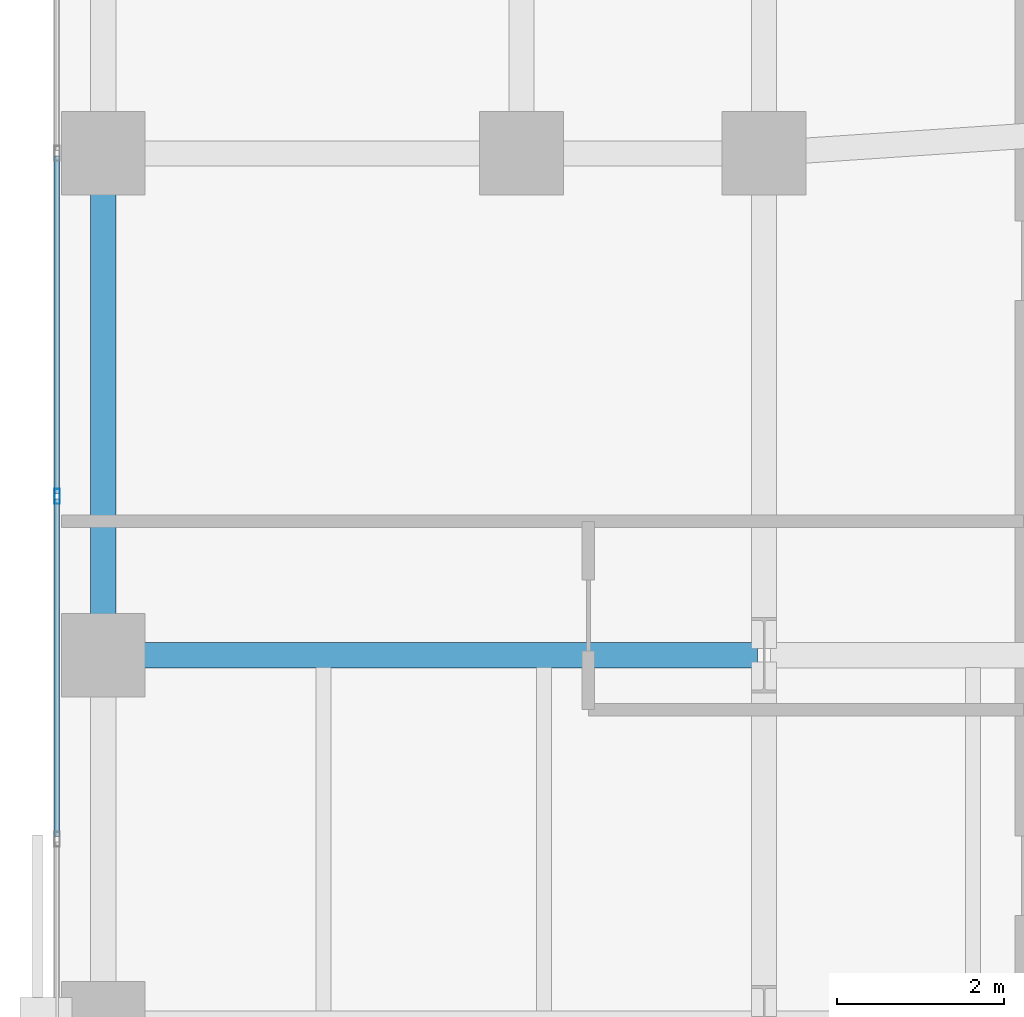
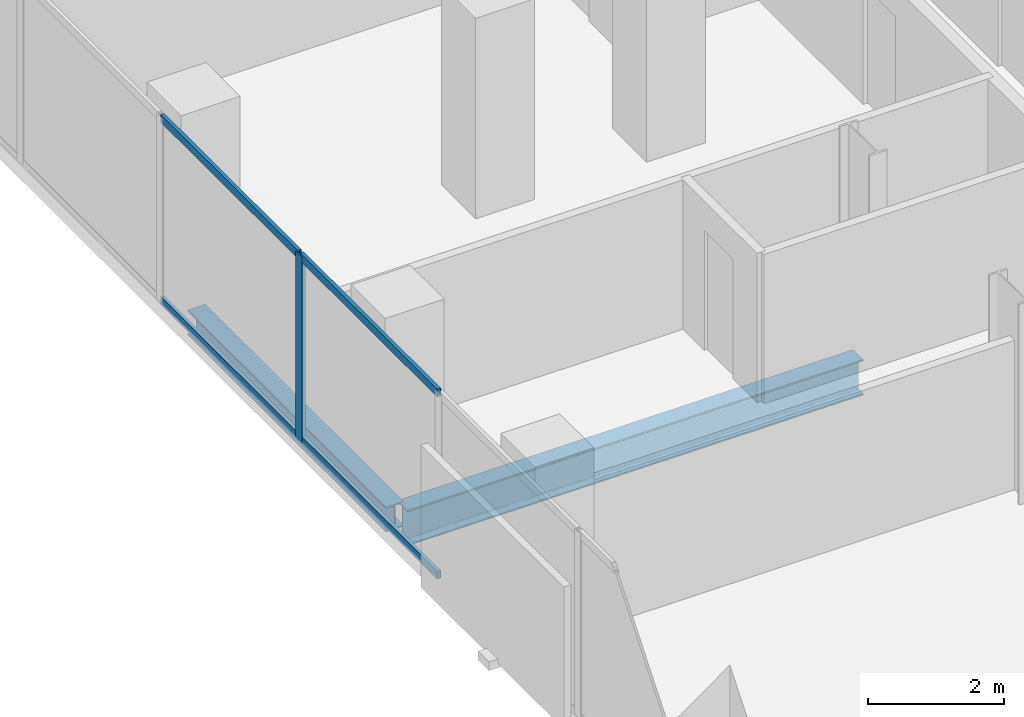
# One storey, part 8 of 32: 5 members, 2 beams, 1 element without a shape of its own.
"""IFC4 building model written with IfcOpenShell, lengths in metres."""

from ifc_helpers import new_model, si_unit, direction, frame, origin, origin_2d, place, context, subcontext, project, spatial, hollow_rectangle, i_section, extrude, material, layer, layer_set, material_profile, profile_set, type_object, element, aggregate, save


model = new_model("IFC4")

# Units and contexts
model_context = context("Model", 3, precision=1e-05, world=origin(), true_north=direction((0.0, 1.0)))
body_context = subcontext(model_context, "Body", "Model", "MODEL_VIEW")
ifc_project = project(units=[si_unit("LENGTHUNIT", "METRE"), si_unit("AREAUNIT", "SQUARE_METRE"), si_unit("VOLUMEUNIT", "CUBIC_METRE"), si_unit("PLANEANGLEUNIT", "RADIAN"), si_unit("MASSUNIT", "GRAM", prefix="KILO")], contexts=[model_context])

# Site, building, storey
site_placement = place(None, origin())
site = spatial("IfcSite", under=ifc_project, at=site_placement, CompositionType="ELEMENT")
building_placement = place(site_placement, origin())
building = spatial("IfcBuilding", under=site, at=building_placement, Name="Catumbela Crestline Tower", CompositionType="ELEMENT")
storey_placement = place(building_placement, frame((0.0, 0.0, 29.4)))
storey = spatial("IfcBuildingStorey", under=building, at=storey_placement, Name="L06", CompositionType="ELEMENT", Elevation=29.4)

# Beam
ifc_material_1 = material(Name="Structural steel S355J2", Category="steel")
ifc_material_profile_1 = material_profile(ifc_material_1, i_section(OverallWidth=0.3, OverallDepth=0.64, WebThickness=0.0135, FlangeThickness=0.026, FilletRadius=0.027, at=origin_2d()), Name="HEA 650")
ifc_profile_set_1 = profile_set([ifc_material_profile_1], Name="Structural steel S355J2")
beam_type_1 = type_object("IfcBeamType", Name="BG-HEA650", PredefinedType="BEAM", material=ifc_profile_set_1)
beam_1_placement = place(storey_placement, frame((0.68, 18.0, -0.58), z_axis=(1.0, 0.0, 0.0), x_axis=(0.0, 1.0, 0.0)))
element("IfcBeam", 1, at=beam_1_placement, inside=storey, type_object=beam_type_1, Name="L06 Beam BM-L06-WEW54", PredefinedType="BEAM", context=body_context, shape_type="SweptSolid", body=[
    extrude(i_section(OverallWidth=0.3, OverallDepth=0.64, WebThickness=0.0135, FlangeThickness=0.026, FilletRadius=0.027, at=origin_2d()), origin(), (0.0, 0.0, 1.0), 7.74),
])

# Curtain wall, member
ifc_material_2 = material(Name="Aluminium alloy AW-6060-T66", Category="aluminium")
ifc_layer = layer(ifc_material_2, 0.18, Name="Aluminium alloy AW-6060-T66")
ifc_layer_set = layer_set([ifc_layer], Name="Aluminium alloy AW-6060-T66")
curtain_wall_type = type_object("IfcCurtainWallType", Name="CWU-Z1", PredefinedType="USERDEFINED", material=ifc_layer_set)
curtain_wall_placement = place(storey_placement, origin())
curtain_wall = element("IfcCurtainWall", 2, at=curtain_wall_placement, inside=storey, type_object=curtain_wall_type, Name="L06 Unitised Curtain Wall CW-L06-E9S1", ObjectType="UNITISED", PredefinedType="USERDEFINED")
ifc_material_profile_2 = material_profile(ifc_material_2, hollow_rectangle(XDim=0.065, YDim=0.18, WallThickness=0.004, at=origin_2d()), Name="ALU 180x65x4")
ifc_profile_set_2 = profile_set([ifc_material_profile_2], Name="Aluminium alloy AW-6060-T66")
member_type_1 = type_object("IfcMemberType", Name="MUL-180X65", PredefinedType="MULLION", material=ifc_profile_set_2)
member_1_placement = place(storey_placement, frame((0.05, 19.9, 0.0), z_axis=(0.0, 0.0, 1.0), x_axis=(1.0, 0.0, 0.0)))
member_1 = element("IfcMember", 3, at=member_1_placement, type_object=member_type_1, Name="CWU-Z1 mullion 7", PredefinedType="MULLION", context=body_context, shape_type="SweptSolid", body=[
    extrude(hollow_rectangle(XDim=0.065, YDim=0.18, WallThickness=0.004, at=origin_2d()), origin(), (0.0, 0.0, 1.0), 3.33),
])

# Beam
ifc_material_profile_3 = material_profile(ifc_material_1, i_section(OverallWidth=0.3, OverallDepth=0.45, WebThickness=0.014, FlangeThickness=0.026, FilletRadius=0.027, at=origin_2d()), Name="HEB 450")
ifc_profile_set_3 = profile_set([ifc_material_profile_3], Name="Structural steel S355J2")
beam_type_2 = type_object("IfcBeamType", Name="BS-HEB450", PredefinedType="SPANDREL", material=ifc_profile_set_3)
beam_2_placement = place(storey_placement, frame((0.6, 18.08, -0.485), z_axis=(0.0, 1.0, 0.0), x_axis=(-1.0, 0.0, 0.0)))
element("IfcBeam", 4, at=beam_2_placement, inside=storey, type_object=beam_type_2, Name="L06 Spandrel SP-L06-WNS60", PredefinedType="SPANDREL", context=body_context, shape_type="SweptSolid", body=[
    extrude(i_section(OverallWidth=0.3, OverallDepth=0.45, WebThickness=0.014, FlangeThickness=0.026, FilletRadius=0.027, at=origin_2d()), origin(), (0.0, 0.0, 1.0), 5.84),
])

# Member
ifc_material_profile_4 = material_profile(ifc_material_2, hollow_rectangle(XDim=0.06, YDim=0.14, WallThickness=0.004, at=origin_2d()), Name="ALU 140x60x4")
ifc_profile_set_4 = profile_set([ifc_material_profile_4], Name="Aluminium alloy AW-6060-T66")
member_type_2 = type_object("IfcMemberType", Name="TRN-140X60", PredefinedType="USERDEFINED", material=ifc_profile_set_4)
member_2_placement = place(storey_placement, frame((0.05, 23.9675, 0.03), z_axis=(0.0, -1.0, 0.0), x_axis=(1.0, 0.0, 0.0)))
member_2 = element("IfcMember", 5, at=member_2_placement, type_object=member_type_2, Name="CWU-Z1 transom 6.1", ObjectType="TRANSOM", PredefinedType="USERDEFINED", context=body_context, shape_type="SweptSolid", body=[
    extrude(hollow_rectangle(XDim=0.06, YDim=0.14, WallThickness=0.004, at=origin_2d()), origin(), (0.0, 0.0, 1.0), 4.035),
])

member_3_placement = place(storey_placement, frame((0.05, 23.9675, 3.3), z_axis=(0.0, -1.0, 0.0), x_axis=(1.0, 0.0, 0.0)))
member_3 = element("IfcMember", 6, at=member_3_placement, type_object=member_type_2, Name="CWU-Z1 transom 6.2", ObjectType="TRANSOM", PredefinedType="USERDEFINED", context=body_context, shape_type="SweptSolid", body=[
    extrude(hollow_rectangle(XDim=0.06, YDim=0.14, WallThickness=0.004, at=origin_2d()), origin(), (0.0, 0.0, 1.0), 4.035),
])

member_4_placement = place(storey_placement, frame((0.05, 19.8675, 0.03), z_axis=(0.0, -1.0, 0.0), x_axis=(1.0, 0.0, 0.0)))
member_4 = element("IfcMember", 7, at=member_4_placement, type_object=member_type_2, Name="CWU-Z1 transom 7.1", ObjectType="TRANSOM", PredefinedType="USERDEFINED", context=body_context, shape_type="SweptSolid", body=[
    extrude(hollow_rectangle(XDim=0.06, YDim=0.14, WallThickness=0.004, at=origin_2d()), origin(), (0.0, 0.0, 1.0), 4.035),
])

member_5_placement = place(storey_placement, frame((0.05, 19.8675, 3.3), z_axis=(0.0, -1.0, 0.0), x_axis=(1.0, 0.0, 0.0)))
member_5 = element("IfcMember", 8, at=member_5_placement, type_object=member_type_2, Name="CWU-Z1 transom 7.2", ObjectType="TRANSOM", PredefinedType="USERDEFINED", context=body_context, shape_type="SweptSolid", body=[
    extrude(hollow_rectangle(XDim=0.06, YDim=0.14, WallThickness=0.004, at=origin_2d()), origin(), (0.0, 0.0, 1.0), 4.035),
])

aggregate(curtain_wall, [member_1, member_2, member_3, member_4, member_5])

save(model, "model.ifc")
